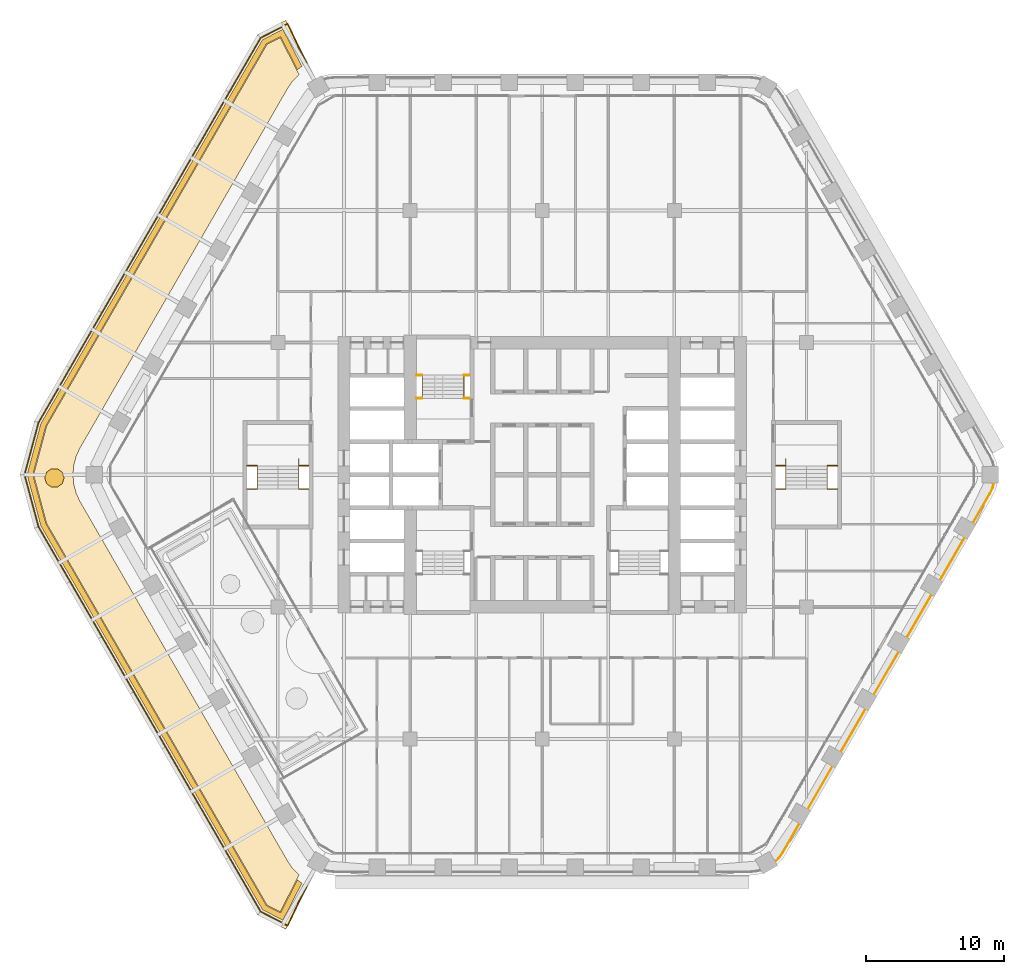
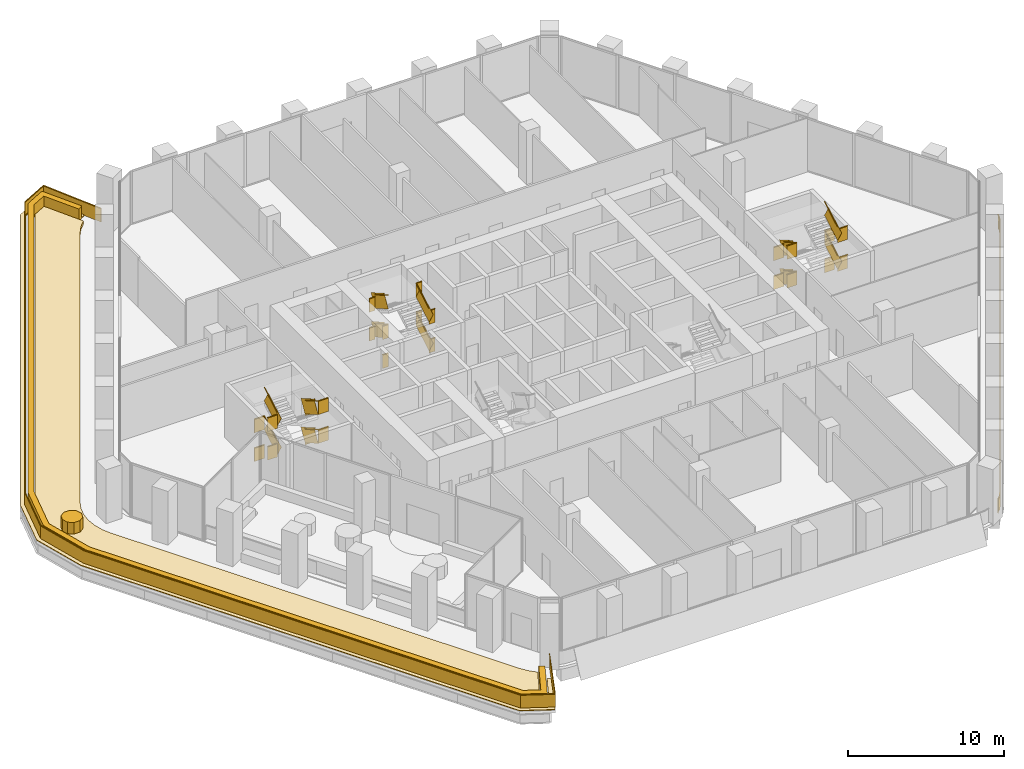
# One storey, part 26 of 27: 8 railings, 4 coverings.
"""IFC4 building model written with IfcOpenShell, lengths in metres."""

from ifc_helpers import new_model, si_unit, direction, frame, frame_2d, origin, origin_2d, place, context, subcontext, project, spatial, polyline, rectangle, outline, extrude, material, layer, layer_set, type_object, element, save


model = new_model("IFC4")

# Units and contexts
model_context = context("Model", 3, precision=1e-05, world=origin(), true_north=direction((0.0, 1.0)))
body_context = subcontext(model_context, "Body", "Model", "MODEL_VIEW")
ifc_project = project(units=[si_unit("LENGTHUNIT", "METRE"), si_unit("AREAUNIT", "SQUARE_METRE"), si_unit("VOLUMEUNIT", "CUBIC_METRE"), si_unit("PLANEANGLEUNIT", "RADIAN"), si_unit("MASSUNIT", "GRAM", prefix="KILO")], contexts=[model_context])

# Site, building, storey
site_placement = place(None, origin())
site = spatial("IfcSite", under=ifc_project, at=site_placement, CompositionType="ELEMENT")
building_placement = place(site_placement, origin())
building = spatial("IfcBuilding", under=site, at=building_placement, Name="Kolab Exchange Tower", CompositionType="ELEMENT")
storey_placement = place(building_placement, frame((0.0, 0.0, 122.89990234375)))
storey = spatial("IfcBuildingStorey", under=building, at=storey_placement, Name="L24", CompositionType="ELEMENT", Elevation=122.89990234375)

# Railings
ifc_material_1 = material(Name="Stainless steel 316", Category="steel")
railing_type_1 = type_object("IfcRailingType", Name="GUARD 1100", PredefinedType="GUARDRAIL", material=ifc_material_1)
railing_1_placement = place(storey_placement, frame((-9.14990234375, 5.550048828125, 0.0)))
element("IfcRailing", 1, at=railing_1_placement, inside=storey, type_object=railing_type_1, Name="Guard ST1", PredefinedType="GUARDRAIL", context=body_context, shape_type="SweptSolid", body=[
    extrude(rectangle(XDim=0.05, YDim=0.05, at=origin_2d()), frame((0.0, 0.0, 1.0751953125), z_axis=(1.0, 0.0, 0.0), x_axis=(0.0, 1.0, 0.0)), (0.0, 0.0, 1.0), 0.43994140625),
    extrude(rectangle(XDim=0.012, YDim=1.05009765625, at=frame_2d((0.0, 0.525146484375))), frame((0.0, 0.0, 0.0), z_axis=(1.0, 0.0, 0.0), x_axis=(0.0, 1.0, 0.0)), (0.0, 0.0, 1.0), 0.43994140625),
    extrude(rectangle(XDim=0.05, YDim=0.05, at=origin_2d()), frame((3.4599609375, 0.0, 1.0751953125), z_axis=(1.0, 0.0, 0.0), x_axis=(0.0, 1.0, 0.0)), (0.0, 0.0, 1.0), 0.43994140625),
    extrude(rectangle(XDim=0.012, YDim=1.05009765625, at=frame_2d((0.0, 0.525146484375))), frame((3.4599609375, 0.0, 0.0), z_axis=(1.0, 0.0, 0.0), x_axis=(0.0, 1.0, 0.0)), (0.0, 0.0, 1.0), 0.43994140625),
    extrude(rectangle(XDim=0.05, YDim=0.05, at=origin_2d()), frame((0.0, 1.679931640625, 2.2001953125), z_axis=(1.0, 0.0, 0.0), x_axis=(0.0, 1.0, 0.0)), (0.0, 0.0, 1.0), 0.43994140625),
    extrude(rectangle(XDim=0.012, YDim=1.05009765625, at=frame_2d((0.0, 0.525146484375))), frame((0.0, 1.679931640625, 1.125), z_axis=(1.0, 0.0, 0.0), x_axis=(0.0, 1.0, 0.0)), (0.0, 0.0, 1.0), 0.43994140625),
    extrude(rectangle(XDim=0.05, YDim=0.05, at=origin_2d()), frame((3.4599609375, 1.679931640625, 2.2001953125), z_axis=(1.0, 0.0, 0.0), x_axis=(0.0, 1.0, 0.0)), (0.0, 0.0, 1.0), 0.43994140625),
    extrude(rectangle(XDim=0.012, YDim=1.05009765625, at=frame_2d((0.0, 0.525146484375))), frame((3.4599609375, 1.679931640625, 1.125), z_axis=(1.0, 0.0, 0.0), x_axis=(0.0, 1.0, 0.0)), (0.0, 0.0, 1.0), 0.43994140625),
    extrude(rectangle(XDim=0.05, YDim=0.05, at=origin_2d()), frame((0.0, 0.0, 3.3251953125), z_axis=(1.0, 0.0, 0.0), x_axis=(0.0, 1.0, 0.0)), (0.0, 0.0, 1.0), 0.43994140625),
    extrude(rectangle(XDim=0.012, YDim=1.05009765625, at=frame_2d((0.0, 0.525146484375))), frame((0.0, 0.0, 2.25), z_axis=(1.0, 0.0, 0.0), x_axis=(0.0, 1.0, 0.0)), (0.0, 0.0, 1.0), 0.43994140625),
    extrude(rectangle(XDim=0.05, YDim=0.05, at=origin_2d()), frame((3.4599609375, 0.0, 3.3251953125), z_axis=(1.0, 0.0, 0.0), x_axis=(0.0, 1.0, 0.0)), (0.0, 0.0, 1.0), 0.43994140625),
    extrude(rectangle(XDim=0.012, YDim=1.05009765625, at=frame_2d((0.0, 0.525146484375))), frame((3.4599609375, 0.0, 2.25), z_axis=(1.0, 0.0, 0.0), x_axis=(0.0, 1.0, 0.0)), (0.0, 0.0, 1.0), 0.43994140625),
    extrude(rectangle(XDim=0.05, YDim=0.05, at=origin_2d()), frame((0.0, 1.679931640625, 4.4501953125), z_axis=(1.0, 0.0, 0.0), x_axis=(0.0, 1.0, 0.0)), (0.0, 0.0, 1.0), 0.43994140625),
    extrude(rectangle(XDim=0.012, YDim=1.05009765625, at=frame_2d((0.0, 0.525146484375))), frame((0.0, 1.679931640625, 3.375), z_axis=(1.0, 0.0, 0.0), x_axis=(0.0, 1.0, 0.0)), (0.0, 0.0, 1.0), 0.43994140625),
    extrude(rectangle(XDim=0.05, YDim=0.05, at=origin_2d()), frame((3.4599609375, 1.679931640625, 4.4501953125), z_axis=(1.0, 0.0, 0.0), x_axis=(0.0, 1.0, 0.0)), (0.0, 0.0, 1.0), 0.43994140625),
    extrude(rectangle(XDim=0.012, YDim=1.05009765625, at=frame_2d((0.0, 0.525146484375))), frame((3.4599609375, 1.679931640625, 3.375), z_axis=(1.0, 0.0, 0.0), x_axis=(0.0, 1.0, 0.0)), (0.0, 0.0, 1.0), 0.43994140625),
])
railing_2_placement = place(storey_placement, frame((-5.68994140625, 5.550048828125, 0.160888671875)))
element("IfcRailing", 2, at=railing_2_placement, inside=storey, type_object=railing_type_1, Name="Handrail guard ST1", PredefinedType="GUARDRAIL", context=body_context, shape_type="SweptSolid", body=[
    extrude(rectangle(XDim=0.05, YDim=0.05, at=origin_2d()), frame((0.0, 0.0, 1.0751953125), z_axis=(0.0, 0.867318599139, 0.497753400378), x_axis=(-1.0, 0.0, 0.0)), (0.0, 0.0, 1.0), 1.93701171875),
    extrude(rectangle(XDim=0.012, YDim=1.05009765625, at=frame_2d((0.0, 0.525146484375))), frame((0.0, 0.0, 0.0), z_axis=(0.0, 0.867318599139, 0.497753400378), x_axis=(-1.0, 0.0, 0.0)), (0.0, 0.0, 1.0), 1.93701171875),
    extrude(rectangle(XDim=0.05, YDim=0.05, at=origin_2d()), frame((-3.02001953125, 1.679931640625, 2.2001953125), z_axis=(0.0, -0.867318599139, 0.497753400378), x_axis=(1.0, 0.0, 0.0)), (0.0, 0.0, 1.0), 1.93701171875),
    extrude(rectangle(XDim=0.012, YDim=1.05009765625, at=frame_2d((0.0, 0.525146484375))), frame((-3.02001953125, 1.679931640625, 1.125), z_axis=(0.0, -0.867318599139, 0.497753400378), x_axis=(1.0, 0.0, 0.0)), (0.0, 0.0, 1.0), 1.93701171875),
    extrude(rectangle(XDim=0.05, YDim=0.05, at=origin_2d()), frame((0.0, 0.0, 3.3251953125), z_axis=(0.0, 0.867318599139, 0.497753400378), x_axis=(-1.0, 0.0, 0.0)), (0.0, 0.0, 1.0), 1.93701171875),
    extrude(rectangle(XDim=0.012, YDim=1.05009765625, at=frame_2d((0.0, 0.525146484375))), frame((0.0, 0.0, 2.25), z_axis=(0.0, 0.867318599139, 0.497753400378), x_axis=(-1.0, 0.0, 0.0)), (0.0, 0.0, 1.0), 1.93701171875),
    extrude(rectangle(XDim=0.05, YDim=0.05, at=origin_2d()), frame((-3.02001953125, 1.679931640625, 4.4501953125), z_axis=(0.0, -0.867318599139, 0.497753400378), x_axis=(1.0, 0.0, 0.0)), (0.0, 0.0, 1.0), 1.93701171875),
    extrude(rectangle(XDim=0.012, YDim=1.05009765625, at=frame_2d((0.0, 0.525146484375))), frame((-3.02001953125, 1.679931640625, 3.375), z_axis=(0.0, -0.867318599139, 0.497753400378), x_axis=(1.0, 0.0, 0.0)), (0.0, 0.0, 1.0), 1.93701171875),
])
railing_3_placement = place(storey_placement, frame((16.949951171875, 0.64990234375, 0.0)))
element("IfcRailing", 3, at=railing_3_placement, inside=storey, type_object=railing_type_1, Name="Guard ST4", PredefinedType="GUARDRAIL", context=body_context, shape_type="SweptSolid", body=[
    extrude(rectangle(XDim=0.05, YDim=0.05, at=origin_2d()), frame((0.0, 0.0, 1.0751953125), z_axis=(1.0, 0.0, 0.0), x_axis=(0.0, 1.0, 0.0)), (0.0, 0.0, 1.0), 0.739990234375),
    extrude(rectangle(XDim=0.012, YDim=1.05009765625, at=frame_2d((0.0, 0.525146484375))), frame((0.0, 0.0, 0.0), z_axis=(1.0, 0.0, 0.0), x_axis=(0.0, 1.0, 0.0)), (0.0, 0.0, 1.0), 0.739990234375),
    extrude(rectangle(XDim=0.05, YDim=0.05, at=origin_2d()), frame((3.760009765625, 0.0, 1.0751953125), z_axis=(1.0, 0.0, 0.0), x_axis=(0.0, 1.0, 0.0)), (0.0, 0.0, 1.0), 0.739990234375),
    extrude(rectangle(XDim=0.012, YDim=1.05009765625, at=frame_2d((0.0, 0.525146484375))), frame((3.760009765625, 0.0, 0.0), z_axis=(1.0, 0.0, 0.0), x_axis=(0.0, 1.0, 0.0)), (0.0, 0.0, 1.0), 0.739990234375),
    extrude(rectangle(XDim=0.05, YDim=0.05, at=origin_2d()), frame((0.0, -1.679931640625, 2.2001953125), z_axis=(1.0, 0.0, 0.0), x_axis=(0.0, 1.0, 0.0)), (0.0, 0.0, 1.0), 0.739990234375),
    extrude(rectangle(XDim=0.012, YDim=1.05009765625, at=frame_2d((0.0, 0.525146484375))), frame((0.0, -1.679931640625, 1.125), z_axis=(1.0, 0.0, 0.0), x_axis=(0.0, 1.0, 0.0)), (0.0, 0.0, 1.0), 0.739990234375),
    extrude(rectangle(XDim=0.05, YDim=0.05, at=origin_2d()), frame((3.760009765625, -1.679931640625, 2.2001953125), z_axis=(1.0, 0.0, 0.0), x_axis=(0.0, 1.0, 0.0)), (0.0, 0.0, 1.0), 0.739990234375),
    extrude(rectangle(XDim=0.012, YDim=1.05009765625, at=frame_2d((0.0, 0.525146484375))), frame((3.760009765625, -1.679931640625, 1.125), z_axis=(1.0, 0.0, 0.0), x_axis=(0.0, 1.0, 0.0)), (0.0, 0.0, 1.0), 0.739990234375),
    extrude(rectangle(XDim=0.05, YDim=0.05, at=origin_2d()), frame((0.0, 0.0, 3.3251953125), z_axis=(1.0, 0.0, 0.0), x_axis=(0.0, 1.0, 0.0)), (0.0, 0.0, 1.0), 0.739990234375),
    extrude(rectangle(XDim=0.012, YDim=1.05009765625, at=frame_2d((0.0, 0.525146484375))), frame((0.0, 0.0, 2.25), z_axis=(1.0, 0.0, 0.0), x_axis=(0.0, 1.0, 0.0)), (0.0, 0.0, 1.0), 0.739990234375),
    extrude(rectangle(XDim=0.05, YDim=0.05, at=origin_2d()), frame((3.760009765625, 0.0, 3.3251953125), z_axis=(1.0, 0.0, 0.0), x_axis=(0.0, 1.0, 0.0)), (0.0, 0.0, 1.0), 0.739990234375),
    extrude(rectangle(XDim=0.012, YDim=1.05009765625, at=frame_2d((0.0, 0.525146484375))), frame((3.760009765625, 0.0, 2.25), z_axis=(1.0, 0.0, 0.0), x_axis=(0.0, 1.0, 0.0)), (0.0, 0.0, 1.0), 0.739990234375),
    extrude(rectangle(XDim=0.05, YDim=0.05, at=origin_2d()), frame((0.0, -1.679931640625, 4.4501953125), z_axis=(1.0, 0.0, 0.0), x_axis=(0.0, 1.0, 0.0)), (0.0, 0.0, 1.0), 0.739990234375),
    extrude(rectangle(XDim=0.012, YDim=1.05009765625, at=frame_2d((0.0, 0.525146484375))), frame((0.0, -1.679931640625, 3.375), z_axis=(1.0, 0.0, 0.0), x_axis=(0.0, 1.0, 0.0)), (0.0, 0.0, 1.0), 0.739990234375),
    extrude(rectangle(XDim=0.05, YDim=0.05, at=origin_2d()), frame((3.760009765625, -1.679931640625, 4.4501953125), z_axis=(1.0, 0.0, 0.0), x_axis=(0.0, 1.0, 0.0)), (0.0, 0.0, 1.0), 0.739990234375),
    extrude(rectangle(XDim=0.012, YDim=1.05009765625, at=frame_2d((0.0, 0.525146484375))), frame((3.760009765625, -1.679931640625, 3.375), z_axis=(1.0, 0.0, 0.0), x_axis=(0.0, 1.0, 0.0)), (0.0, 0.0, 1.0), 0.739990234375),
])
railing_4_placement = place(storey_placement, frame((17.68994140625, 0.64990234375, 0.160888671875)))
element("IfcRailing", 4, at=railing_4_placement, inside=storey, type_object=railing_type_1, Name="Handrail guard ST4", PredefinedType="GUARDRAIL", context=body_context, shape_type="SweptSolid", body=[
    extrude(rectangle(XDim=0.05, YDim=0.05, at=origin_2d()), frame((0.0, 0.0, 1.0751953125), z_axis=(0.0, -0.867318599139, 0.497753400378), x_axis=(1.0, 0.0, 0.0)), (0.0, 0.0, 1.0), 1.93701171875),
    extrude(rectangle(XDim=0.012, YDim=1.05009765625, at=frame_2d((0.0, 0.525146484375))), frame((0.0, 0.0, 0.0), z_axis=(0.0, -0.867318599139, 0.497753400378), x_axis=(1.0, 0.0, 0.0)), (0.0, 0.0, 1.0), 1.93701171875),
    extrude(rectangle(XDim=0.05, YDim=0.05, at=origin_2d()), frame((3.02001953125, -1.679931640625, 2.2001953125), z_axis=(0.0, 0.867318599139, 0.497753400378), x_axis=(-1.0, 0.0, 0.0)), (0.0, 0.0, 1.0), 1.93701171875),
    extrude(rectangle(XDim=0.012, YDim=1.05009765625, at=frame_2d((0.0, 0.525146484375))), frame((3.02001953125, -1.679931640625, 1.125), z_axis=(0.0, 0.867318599139, 0.497753400378), x_axis=(-1.0, 0.0, 0.0)), (0.0, 0.0, 1.0), 1.93701171875),
    extrude(rectangle(XDim=0.05, YDim=0.05, at=origin_2d()), frame((0.0, 0.0, 3.3251953125), z_axis=(0.0, -0.867318599139, 0.497753400378), x_axis=(1.0, 0.0, 0.0)), (0.0, 0.0, 1.0), 1.93701171875),
    extrude(rectangle(XDim=0.012, YDim=1.05009765625, at=frame_2d((0.0, 0.525146484375))), frame((0.0, 0.0, 2.25), z_axis=(0.0, -0.867318599139, 0.497753400378), x_axis=(1.0, 0.0, 0.0)), (0.0, 0.0, 1.0), 1.93701171875),
    extrude(rectangle(XDim=0.05, YDim=0.05, at=origin_2d()), frame((3.02001953125, -1.679931640625, 4.4501953125), z_axis=(0.0, 0.867318599139, 0.497753400378), x_axis=(-1.0, 0.0, 0.0)), (0.0, 0.0, 1.0), 1.93701171875),
    extrude(rectangle(XDim=0.012, YDim=1.05009765625, at=frame_2d((0.0, 0.525146484375))), frame((3.02001953125, -1.679931640625, 3.375), z_axis=(0.0, 0.867318599139, 0.497753400378), x_axis=(-1.0, 0.0, 0.0)), (0.0, 0.0, 1.0), 1.93701171875),
])
railing_5_placement = place(storey_placement, frame((-21.449951171875, 0.64990234375, 0.0)))
element("IfcRailing", 5, at=railing_5_placement, inside=storey, type_object=railing_type_1, Name="Guard ST5", PredefinedType="GUARDRAIL", context=body_context, shape_type="SweptSolid", body=[
    extrude(rectangle(XDim=0.05, YDim=0.05, at=origin_2d()), frame((0.0, 0.0, 1.0751953125), z_axis=(1.0, 0.0, 0.0), x_axis=(0.0, 1.0, 0.0)), (0.0, 0.0, 1.0), 0.739990234375),
    extrude(rectangle(XDim=0.012, YDim=1.05009765625, at=frame_2d((0.0, 0.525146484375))), frame((0.0, 0.0, 0.0), z_axis=(1.0, 0.0, 0.0), x_axis=(0.0, 1.0, 0.0)), (0.0, 0.0, 1.0), 0.739990234375),
    extrude(rectangle(XDim=0.05, YDim=0.05, at=origin_2d()), frame((3.760009765625, 0.0, 1.0751953125), z_axis=(1.0, 0.0, 0.0), x_axis=(0.0, 1.0, 0.0)), (0.0, 0.0, 1.0), 0.739990234375),
    extrude(rectangle(XDim=0.012, YDim=1.05009765625, at=frame_2d((0.0, 0.525146484375))), frame((3.760009765625, 0.0, 0.0), z_axis=(1.0, 0.0, 0.0), x_axis=(0.0, 1.0, 0.0)), (0.0, 0.0, 1.0), 0.739990234375),
    extrude(rectangle(XDim=0.05, YDim=0.05, at=origin_2d()), frame((0.0, -1.679931640625, 2.2001953125), z_axis=(1.0, 0.0, 0.0), x_axis=(0.0, 1.0, 0.0)), (0.0, 0.0, 1.0), 0.739990234375),
    extrude(rectangle(XDim=0.012, YDim=1.05009765625, at=frame_2d((0.0, 0.525146484375))), frame((0.0, -1.679931640625, 1.125), z_axis=(1.0, 0.0, 0.0), x_axis=(0.0, 1.0, 0.0)), (0.0, 0.0, 1.0), 0.739990234375),
    extrude(rectangle(XDim=0.05, YDim=0.05, at=origin_2d()), frame((3.760009765625, -1.679931640625, 2.2001953125), z_axis=(1.0, 0.0, 0.0), x_axis=(0.0, 1.0, 0.0)), (0.0, 0.0, 1.0), 0.739990234375),
    extrude(rectangle(XDim=0.012, YDim=1.05009765625, at=frame_2d((0.0, 0.525146484375))), frame((3.760009765625, -1.679931640625, 1.125), z_axis=(1.0, 0.0, 0.0), x_axis=(0.0, 1.0, 0.0)), (0.0, 0.0, 1.0), 0.739990234375),
    extrude(rectangle(XDim=0.05, YDim=0.05, at=origin_2d()), frame((0.0, 0.0, 3.3251953125), z_axis=(1.0, 0.0, 0.0), x_axis=(0.0, 1.0, 0.0)), (0.0, 0.0, 1.0), 0.739990234375),
    extrude(rectangle(XDim=0.012, YDim=1.05009765625, at=frame_2d((0.0, 0.525146484375))), frame((0.0, 0.0, 2.25), z_axis=(1.0, 0.0, 0.0), x_axis=(0.0, 1.0, 0.0)), (0.0, 0.0, 1.0), 0.739990234375),
    extrude(rectangle(XDim=0.05, YDim=0.05, at=origin_2d()), frame((3.760009765625, 0.0, 3.3251953125), z_axis=(1.0, 0.0, 0.0), x_axis=(0.0, 1.0, 0.0)), (0.0, 0.0, 1.0), 0.739990234375),
    extrude(rectangle(XDim=0.012, YDim=1.05009765625, at=frame_2d((0.0, 0.525146484375))), frame((3.760009765625, 0.0, 2.25), z_axis=(1.0, 0.0, 0.0), x_axis=(0.0, 1.0, 0.0)), (0.0, 0.0, 1.0), 0.739990234375),
    extrude(rectangle(XDim=0.05, YDim=0.05, at=origin_2d()), frame((0.0, -1.679931640625, 4.4501953125), z_axis=(1.0, 0.0, 0.0), x_axis=(0.0, 1.0, 0.0)), (0.0, 0.0, 1.0), 0.739990234375),
    extrude(rectangle(XDim=0.012, YDim=1.05009765625, at=frame_2d((0.0, 0.525146484375))), frame((0.0, -1.679931640625, 3.375), z_axis=(1.0, 0.0, 0.0), x_axis=(0.0, 1.0, 0.0)), (0.0, 0.0, 1.0), 0.739990234375),
    extrude(rectangle(XDim=0.05, YDim=0.05, at=origin_2d()), frame((3.760009765625, -1.679931640625, 4.4501953125), z_axis=(1.0, 0.0, 0.0), x_axis=(0.0, 1.0, 0.0)), (0.0, 0.0, 1.0), 0.739990234375),
    extrude(rectangle(XDim=0.012, YDim=1.05009765625, at=frame_2d((0.0, 0.525146484375))), frame((3.760009765625, -1.679931640625, 3.375), z_axis=(1.0, 0.0, 0.0), x_axis=(0.0, 1.0, 0.0)), (0.0, 0.0, 1.0), 0.739990234375),
])
railing_6_placement = place(storey_placement, frame((-17.68994140625, 0.64990234375, 0.160888671875)))
element("IfcRailing", 6, at=railing_6_placement, inside=storey, type_object=railing_type_1, Name="Handrail guard ST5", PredefinedType="GUARDRAIL", context=body_context, shape_type="SweptSolid", body=[
    extrude(rectangle(XDim=0.05, YDim=0.05, at=origin_2d()), frame((0.0, 0.0, 1.0751953125), z_axis=(0.0, -0.867318599139, 0.497753400378), x_axis=(1.0, 0.0, 0.0)), (0.0, 0.0, 1.0), 1.93701171875),
    extrude(rectangle(XDim=0.012, YDim=1.05009765625, at=frame_2d((0.0, 0.525146484375))), frame((0.0, 0.0, 0.0), z_axis=(0.0, -0.867318599139, 0.497753400378), x_axis=(1.0, 0.0, 0.0)), (0.0, 0.0, 1.0), 1.93701171875),
    extrude(rectangle(XDim=0.05, YDim=0.05, at=origin_2d()), frame((-3.02001953125, -1.679931640625, 2.2001953125), z_axis=(0.0, 0.867318599139, 0.497753400378), x_axis=(-1.0, 0.0, 0.0)), (0.0, 0.0, 1.0), 1.93701171875),
    extrude(rectangle(XDim=0.012, YDim=1.05009765625, at=frame_2d((0.0, 0.525146484375))), frame((-3.02001953125, -1.679931640625, 1.125), z_axis=(0.0, 0.867318599139, 0.497753400378), x_axis=(-1.0, 0.0, 0.0)), (0.0, 0.0, 1.0), 1.93701171875),
    extrude(rectangle(XDim=0.05, YDim=0.05, at=origin_2d()), frame((0.0, 0.0, 3.3251953125), z_axis=(0.0, -0.867318599139, 0.497753400378), x_axis=(1.0, 0.0, 0.0)), (0.0, 0.0, 1.0), 1.93701171875),
    extrude(rectangle(XDim=0.012, YDim=1.05009765625, at=frame_2d((0.0, 0.525146484375))), frame((0.0, 0.0, 2.25), z_axis=(0.0, -0.867318599139, 0.497753400378), x_axis=(1.0, 0.0, 0.0)), (0.0, 0.0, 1.0), 1.93701171875),
    extrude(rectangle(XDim=0.05, YDim=0.05, at=origin_2d()), frame((-3.02001953125, -1.679931640625, 4.4501953125), z_axis=(0.0, 0.867318599139, 0.497753400378), x_axis=(-1.0, 0.0, 0.0)), (0.0, 0.0, 1.0), 1.93701171875),
    extrude(rectangle(XDim=0.012, YDim=1.05009765625, at=frame_2d((0.0, 0.525146484375))), frame((-3.02001953125, -1.679931640625, 3.375), z_axis=(0.0, 0.867318599139, 0.497753400378), x_axis=(-1.0, 0.0, 0.0)), (0.0, 0.0, 1.0), 1.93701171875),
])
ifc_material_2 = material(Name="Steel S235", Category="steel")
railing_type_2 = type_object("IfcRailingType", Name="GUARD 1100 GLASS BALUSTRADE AND STEEL TOP RAIL", PredefinedType="GUARDRAIL", material=ifc_material_2)
railing_7_placement = place(storey_placement, frame((16.9208984375, -28.119873046875, 0.0)))
element("IfcRailing", 7, at=railing_7_placement, inside=storey, type_object=railing_type_2, Name="Guard", PredefinedType="GUARDRAIL", context=body_context, shape_type="SweptSolid", body=[
    extrude(rectangle(XDim=0.05, YDim=0.05, at=origin_2d()), frame((0.0, 0.0, 1.0751953125), z_axis=(0.707106781187, 0.707106781187, 0.0), x_axis=(-0.707106781187, 0.707106781187, 0.0)), (0.0, 0.0, 1.0), 0.358642578125),
    extrude(rectangle(XDim=0.012, YDim=1.05009765625, at=frame_2d((0.0, 0.525146484375))), frame((0.0, 0.0, 0.0), z_axis=(0.707106781187, 0.707106781187, 0.0), x_axis=(-0.707106781187, 0.707106781187, 0.0)), (0.0, 0.0, 1.0), 0.358642578125),
    extrude(rectangle(XDim=0.05, YDim=0.05, at=origin_2d()), frame((0.253662109375, 0.253662109375, 1.0751953125), z_axis=(0.573359816273, 0.819303680624, 0.0), x_axis=(-0.819303680624, 0.573359816273, 0.0)), (0.0, 0.0, 1.0), 0.4794921875),
    extrude(rectangle(XDim=0.012, YDim=1.05009765625, at=frame_2d((0.0, 0.525146484375))), frame((0.253662109375, 0.253662109375, 0.0), z_axis=(0.573359816273, 0.819303680624, 0.0), x_axis=(-0.819303680624, 0.573359816273, 0.0)), (0.0, 0.0, 1.0), 0.4794921875),
    extrude(rectangle(XDim=0.05, YDim=0.05, at=origin_2d()), frame((0.528564453125, 0.646484375, 1.0751953125), z_axis=(0.500064973171, 0.865987888257, 0.0), x_axis=(-0.865987888257, 0.500064973171, 0.0)), (0.0, 0.0, 1.0), 2.468017578125),
    extrude(rectangle(XDim=0.012, YDim=1.05009765625, at=frame_2d((0.0, 0.525146484375))), frame((0.528564453125, 0.646484375, 0.0), z_axis=(0.500064973171, 0.865987888257, 0.0), x_axis=(-0.865987888257, 0.500064973171, 0.0)), (0.0, 0.0, 1.0), 2.468017578125),
    extrude(rectangle(XDim=0.05, YDim=0.05, at=origin_2d()), frame((2.362548828125, 3.822998046875, 1.0751953125), z_axis=(0.500012057535, 0.866018442252, 0.0), x_axis=(-0.866018442252, 0.500012057535, 0.0)), (0.0, 0.0, 1.0), 3.60009765625),
    extrude(rectangle(XDim=0.012, YDim=1.05009765625, at=frame_2d((0.0, 0.525146484375))), frame((2.362548828125, 3.822998046875, 0.0), z_axis=(0.500012057535, 0.866018442252, 0.0), x_axis=(-0.866018442252, 0.500012057535, 0.0)), (0.0, 0.0, 1.0), 3.60009765625),
    extrude(rectangle(XDim=0.05, YDim=0.05, at=origin_2d()), frame((4.7626953125, 7.97998046875, 1.0751953125), z_axis=(0.499961193289, 0.866047807691, 0.0), x_axis=(-0.866047807691, 0.499961193289, 0.0)), (0.0, 0.0, 1.0), 3.599853515625),
    extrude(rectangle(XDim=0.012, YDim=1.05009765625, at=frame_2d((0.0, 0.525146484375))), frame((4.7626953125, 7.97998046875, 0.0), z_axis=(0.499961193289, 0.866047807691, 0.0), x_axis=(-0.866047807691, 0.499961193289, 0.0)), (0.0, 0.0, 1.0), 3.599853515625),
    extrude(rectangle(XDim=0.05, YDim=0.05, at=origin_2d()), frame((7.16259765625, 12.13671875, 1.0751953125), z_axis=(0.500012057535, 0.866018442252, 0.0), x_axis=(-0.866018442252, 0.500012057535, 0.0)), (0.0, 0.0, 1.0), 3.60009765625),
    extrude(rectangle(XDim=0.012, YDim=1.05009765625, at=frame_2d((0.0, 0.525146484375))), frame((7.16259765625, 12.13671875, 0.0), z_axis=(0.500012057535, 0.866018442252, 0.0), x_axis=(-0.866018442252, 0.500012057535, 0.0)), (0.0, 0.0, 1.0), 3.60009765625),
    extrude(rectangle(XDim=0.05, YDim=0.05, at=origin_2d()), frame((9.5625, 16.293701171875, 1.0751953125), z_axis=(0.500012057535, 0.866018442252, 0.0), x_axis=(-0.866018442252, 0.500012057535, 0.0)), (0.0, 0.0, 1.0), 3.60009765625),
    extrude(rectangle(XDim=0.012, YDim=1.05009765625, at=frame_2d((0.0, 0.525146484375))), frame((9.5625, 16.293701171875, 0.0), z_axis=(0.500012057535, 0.866018442252, 0.0), x_axis=(-0.866018442252, 0.500012057535, 0.0)), (0.0, 0.0, 1.0), 3.60009765625),
    extrude(rectangle(XDim=0.05, YDim=0.05, at=origin_2d()), frame((11.962646484375, 20.45068359375, 1.0751953125), z_axis=(0.500012057535, 0.866018442252, 0.0), x_axis=(-0.866018442252, 0.500012057535, 0.0)), (0.0, 0.0, 1.0), 3.60009765625),
    extrude(rectangle(XDim=0.012, YDim=1.05009765625, at=frame_2d((0.0, 0.525146484375))), frame((11.962646484375, 20.45068359375, 0.0), z_axis=(0.500012057535, 0.866018442252, 0.0), x_axis=(-0.866018442252, 0.500012057535, 0.0)), (0.0, 0.0, 1.0), 3.60009765625),
    extrude(rectangle(XDim=0.05, YDim=0.05, at=origin_2d()), frame((14.362548828125, 24.607666015625, 1.0751953125), z_axis=(0.500064973171, 0.865987888257, 0.0), x_axis=(-0.865987888257, 0.500064973171, 0.0)), (0.0, 0.0, 1.0), 2.468017578125),
    extrude(rectangle(XDim=0.012, YDim=1.05009765625, at=frame_2d((0.0, 0.525146484375))), frame((14.362548828125, 24.607666015625, 0.0), z_axis=(0.500064973171, 0.865987888257, 0.0), x_axis=(-0.865987888257, 0.500064973171, 0.0)), (0.0, 0.0, 1.0), 2.468017578125),
    extrude(rectangle(XDim=0.05, YDim=0.05, at=origin_2d()), frame((15.5966796875, 26.744873046875, 1.0751953125), z_axis=(0.422383329074, 0.906417300872, 0.0), x_axis=(-0.906417300872, 0.422383329074, 0.0)), (0.0, 0.0, 1.0), 0.479248046875),
    extrude(rectangle(XDim=0.012, YDim=1.05009765625, at=frame_2d((0.0, 0.525146484375))), frame((15.5966796875, 26.744873046875, 0.0), z_axis=(0.422383329074, 0.906417300872, 0.0), x_axis=(-0.906417300872, 0.422383329074, 0.0)), (0.0, 0.0, 1.0), 0.479248046875),
    extrude(rectangle(XDim=0.05, YDim=0.05, at=origin_2d()), frame((15.799072265625, 27.17919921875, 1.0751953125), z_axis=(0.259144041577, 0.965838685141, 0.0), x_axis=(-0.965838685141, 0.259144041577, 0.0)), (0.0, 0.0, 1.0), 0.35888671875),
    extrude(rectangle(XDim=0.012, YDim=1.05009765625, at=frame_2d((0.0, 0.525146484375))), frame((15.799072265625, 27.17919921875, 0.0), z_axis=(0.259144041577, 0.965838685141, 0.0), x_axis=(-0.965838685141, 0.259144041577, 0.0)), (0.0, 0.0, 1.0), 0.35888671875),
])
railing_8_placement = place(storey_placement, frame((-16.56787109375, -28.696533203125, 0.0)))
element("IfcRailing", 8, at=railing_8_placement, inside=storey, type_object=railing_type_2, Name="Terrace guard", PredefinedType="GUARDRAIL", context=body_context, shape_type="SweptSolid", body=[
    extrude(rectangle(XDim=0.05, YDim=0.05, at=origin_2d()), frame((0.0, 0.0, 1.0751953125), z_axis=(-0.426223150274, -0.904618055408, 0.0), x_axis=(0.904618055408, -0.426223150274, 0.0)), (0.0, 0.0, 1.0), 4.4970703125),
    extrude(rectangle(XDim=0.012, YDim=1.05009765625, at=frame_2d((0.0, 0.525146484375))), frame((0.0, 0.0, 0.0), z_axis=(-0.426223150274, -0.904618055408, 0.0), x_axis=(0.904618055408, -0.426223150274, 0.0)), (0.0, 0.0, 1.0), 4.4970703125),
    extrude(rectangle(XDim=0.05, YDim=0.05, at=origin_2d()), frame((-1.916748046875, -4.068115234375, 1.0751953125), z_axis=(-0.889930468546, 0.456096219184, 0.0), x_axis=(-0.456096219184, -0.889930468546, 0.0)), (0.0, 0.0, 1.0), 2.226318359375),
    extrude(rectangle(XDim=0.012, YDim=1.05009765625, at=frame_2d((0.0, 0.525146484375))), frame((-1.916748046875, -4.068115234375, 0.0), z_axis=(-0.889930468546, 0.456096219184, 0.0), x_axis=(-0.456096219184, -0.889930468546, 0.0)), (0.0, 0.0, 1.0), 2.226318359375),
    extrude(rectangle(XDim=0.05, YDim=0.05, at=origin_2d()), frame((-3.89794921875, -3.052734375, 1.0751953125), z_axis=(-0.499996673805, 0.866027324155, 0.0), x_axis=(-0.866027324155, -0.499996673805, 0.0)), (0.0, 0.0, 1.0), 32.291259765625),
    extrude(rectangle(XDim=0.012, YDim=1.05009765625, at=frame_2d((0.0, 0.525146484375))), frame((-3.89794921875, -3.052734375, 0.0), z_axis=(-0.499996673805, 0.866027324155, 0.0), x_axis=(-0.866027324155, -0.499996673805, 0.0)), (0.0, 0.0, 1.0), 32.291259765625),
    extrude(rectangle(XDim=0.05, YDim=0.05, at=origin_2d()), frame((-20.04345703125, 24.912353515625, 1.0751953125), z_axis=(-0.258806690596, 0.965929136584, 0.0), x_axis=(-0.965929136584, -0.258806690596, 0.0)), (0.0, 0.0, 1.0), 3.917724609375),
    extrude(rectangle(XDim=0.012, YDim=1.05009765625, at=frame_2d((0.0, 0.525146484375))), frame((-20.04345703125, 24.912353515625, 0.0), z_axis=(-0.258806690596, 0.965929136584, 0.0), x_axis=(-0.965929136584, -0.258806690596, 0.0)), (0.0, 0.0, 1.0), 3.917724609375),
    extrude(rectangle(XDim=0.05, YDim=0.05, at=origin_2d()), frame((-21.057373046875, 28.696533203125, 1.0751953125), z_axis=(0.258806690596, 0.965929136584, 0.0), x_axis=(-0.965929136584, 0.258806690596, 0.0)), (0.0, 0.0, 1.0), 3.917724609375),
    extrude(rectangle(XDim=0.012, YDim=1.05009765625, at=frame_2d((0.0, 0.525146484375))), frame((-21.057373046875, 28.696533203125, 0.0), z_axis=(0.258806690596, 0.965929136584, 0.0), x_axis=(-0.965929136584, 0.258806690596, 0.0)), (0.0, 0.0, 1.0), 3.917724609375),
    extrude(rectangle(XDim=0.05, YDim=0.05, at=origin_2d()), frame((-20.04345703125, 32.480712890625, 1.0751953125), z_axis=(0.499996673805, 0.866027324155, 0.0), x_axis=(-0.866027324155, 0.499996673805, 0.0)), (0.0, 0.0, 1.0), 32.291259765625),
    extrude(rectangle(XDim=0.012, YDim=1.05009765625, at=frame_2d((0.0, 0.525146484375))), frame((-20.04345703125, 32.480712890625, 0.0), z_axis=(0.499996673805, 0.866027324155, 0.0), x_axis=(-0.866027324155, 0.499996673805, 0.0)), (0.0, 0.0, 1.0), 32.291259765625),
    extrude(rectangle(XDim=0.05, YDim=0.05, at=origin_2d()), frame((-3.89794921875, 60.44580078125, 1.0751953125), z_axis=(0.889930468546, 0.456096219184, 0.0), x_axis=(-0.456096219184, 0.889930468546, 0.0)), (0.0, 0.0, 1.0), 2.226318359375),
    extrude(rectangle(XDim=0.012, YDim=1.05009765625, at=frame_2d((0.0, 0.525146484375))), frame((-3.89794921875, 60.44580078125, 0.0), z_axis=(0.889930468546, 0.456096219184, 0.0), x_axis=(-0.456096219184, 0.889930468546, 0.0)), (0.0, 0.0, 1.0), 2.226318359375),
    extrude(rectangle(XDim=0.05, YDim=0.05, at=origin_2d()), frame((-1.916748046875, 61.461181640625, 1.0751953125), z_axis=(0.426223150274, -0.904618055408, 0.0), x_axis=(0.904618055408, 0.426223150274, 0.0)), (0.0, 0.0, 1.0), 4.4970703125),
    extrude(rectangle(XDim=0.012, YDim=1.05009765625, at=frame_2d((0.0, 0.525146484375))), frame((-1.916748046875, 61.461181640625, 0.0), z_axis=(0.426223150274, -0.904618055408, 0.0), x_axis=(0.904618055408, 0.426223150274, 0.0)), (0.0, 0.0, 1.0), 4.4970703125),
])

# Coverings
ifc_material_3 = material(Name="Dense shrub planting", Category="soil")
ifc_layer_1 = layer(ifc_material_3, 1.39990234375)
ifc_layer_set_1 = layer_set([ifc_layer_1], Name="Dense shrub planting")
covering_type_1 = type_object("IfcCoveringType", Name="PLANTED TRELLIS SCREEN AND SHRUB BED", PredefinedType="USERDEFINED", material=ifc_layer_set_1)
covering_1_placement = place(storey_placement, frame((0.0, 0.0, 0.25)))
element("IfcCovering", 9, at=covering_1_placement, inside=storey, type_object=covering_type_1, Name="Shrub bed", ObjectType="PLANTING", PredefinedType="USERDEFINED", context=body_context, shape_type="SweptSolid", body=[
    extrude(outline(polyline([(-34.736572265625, -0.23095703125), (-34.8701171875, 0.180419921875), (-35.22021484375, 0.434814453125), (-35.65283203125, 0.434814453125), (-36.0029296875, 0.180419921875), (-36.136474609375, -0.23095703125), (-36.0029296875, -0.642333984375), (-35.65283203125, -0.896728515625), (-35.22021484375, -0.896728515625), (-34.8701171875, -0.642333984375), (-34.736572265625, -0.23095703125)])), origin(), (0.0, 0.0, 1.0), 0.900146484375),
])
ifc_material_4 = material(Name="Planting soil and turf", Category="soil")
ifc_layer_2 = layer(ifc_material_4, 0.25)
ifc_layer_set_2 = layer_set([ifc_layer_2], Name="Planting soil and turf")
covering_type_2 = type_object("IfcCoveringType", Name="PLANTING SOIL AND TURF 250", PredefinedType="USERDEFINED", material=ifc_layer_set_2)
covering_2_placement = place(storey_placement, origin())
element("IfcCovering", 10, at=covering_2_placement, inside=storey, type_object=covering_type_2, Name="Planting soil and turf", ObjectType="PLANTING", PredefinedType="USERDEFINED", context=body_context, shape_type="SweptSolid", body=[
    extrude(outline(polyline([(-19.033447265625, -31.7529296875), (-19.998779296875, -31.258056640625), (-36.005615234375, -3.533203125), (-36.952392578125, 0.0), (-36.005615234375, 3.533203125), (-19.998779296875, 31.258056640625), (-19.033447265625, 31.7529296875), (-17.6611328125, 29.0751953125), (-18.0966796875, 28.639892578125), (-18.468017578125, 28.109375), (-33.577392578125, 1.939208984375), (-33.85107421875, 1.352294921875), (-34.029541015625, 0.6865234375), (-34.089599609375, 0.0), (-34.029541015625, -0.6865234375), (-33.85107421875, -1.352294921875), (-33.577392578125, -1.939208984375), (-18.468017578125, -28.109375), (-18.0966796875, -28.639892578125), (-17.6611328125, -29.0751953125), (-19.033447265625, -31.7529296875)])), origin(), (0.0, 0.0, 1.0), 0.25),
])
ifc_material_5 = material(Name="Limestone coping", Category="masonry")
ifc_layer_3 = layer(ifc_material_5, 0.050048828125)
ifc_layer_set_3 = layer_set([ifc_layer_3], Name="Limestone coping")
covering_type_3 = type_object("IfcCoveringType", Name="TERRACE EDGE BAND LIMESTONE 50", PredefinedType="CLADDING", material=ifc_layer_set_3)
covering_3_placement = place(storey_placement, origin())
element("IfcCovering", 11, at=covering_3_placement, inside=storey, type_object=covering_type_3, Name="Terrace edge band", PredefinedType="CLADDING", context=body_context, shape_type="SweptSolid", body=[
    extrude(outline(polyline([(-20.6669921875, -31.960693359375), (-36.872314453125, -3.892333984375), (-37.915283203125, 0.0), (-36.872314453125, 3.892333984375), (-20.6669921875, 31.960693359375), (-18.6298828125, 33.004638671875), (-17.04345703125, 29.9091796875), (-17.117431640625, 29.874755859375), (-17.218017578125, 29.822265625), (-17.3134765625, 29.761474609375), (-17.3486328125, 29.737060546875), (-18.78173828125, 32.533447265625), (-20.41552734375, 31.6962890625), (-36.546142578125, 3.757080078125), (-37.552734375, 0.0), (-36.546142578125, -3.757080078125), (-20.41552734375, -31.6962890625), (-18.78173828125, -32.533447265625), (-17.3486328125, -29.737060546875), (-17.3134765625, -29.761474609375), (-17.218017578125, -29.822265625), (-17.117431640625, -29.874755859375), (-17.04345703125, -29.9091796875), (-18.6298828125, -33.004638671875), (-20.6669921875, -31.960693359375)])), origin(), (0.0, 0.0, 1.0), 0.050048828125),
])
ifc_material_6 = material(Name="Terrace hedge planting", Category="soil")
ifc_layer_4 = layer(ifc_material_6, 1.0)
ifc_layer_set_4 = layer_set([ifc_layer_4], Name="Terrace hedge planting")
covering_type_4 = type_object("IfcCoveringType", Name="TERRACE HEDGE 1000 X 400", PredefinedType="USERDEFINED", material=ifc_layer_set_4)
covering_4_placement = place(storey_placement, origin())
element("IfcCovering", 12, at=covering_4_placement, inside=storey, type_object=covering_type_4, Name="Terrace hedge", ObjectType="PLANTING", PredefinedType="USERDEFINED", context=body_context, shape_type="SweptSolid", body=[
    extrude(outline(polyline([(-20.322021484375, -31.59814453125), (-36.425048828125, -3.70703125), (-37.418212890625, 0.0), (-36.425048828125, 3.70703125), (-20.322021484375, 31.59814453125), (-18.838134765625, 32.358642578125), (-17.4560546875, 29.66162109375), (-17.741943359375, 29.46142578125), (-17.78564453125, 29.427978515625), (-19.01171875, 31.820068359375), (-20.03466796875, 31.2958984375), (-36.05224609375, 3.552734375), (-37.004150390625, 0.0), (-36.05224609375, -3.552734375), (-20.03466796875, -31.2958984375), (-19.01171875, -31.820068359375), (-17.78564453125, -29.427978515625), (-17.741943359375, -29.46142578125), (-17.4560546875, -29.66162109375), (-18.838134765625, -32.358642578125), (-20.322021484375, -31.59814453125)])), origin(), (0.0, 0.0, 1.0), 1.0),
])

save(model, "model.ifc")
